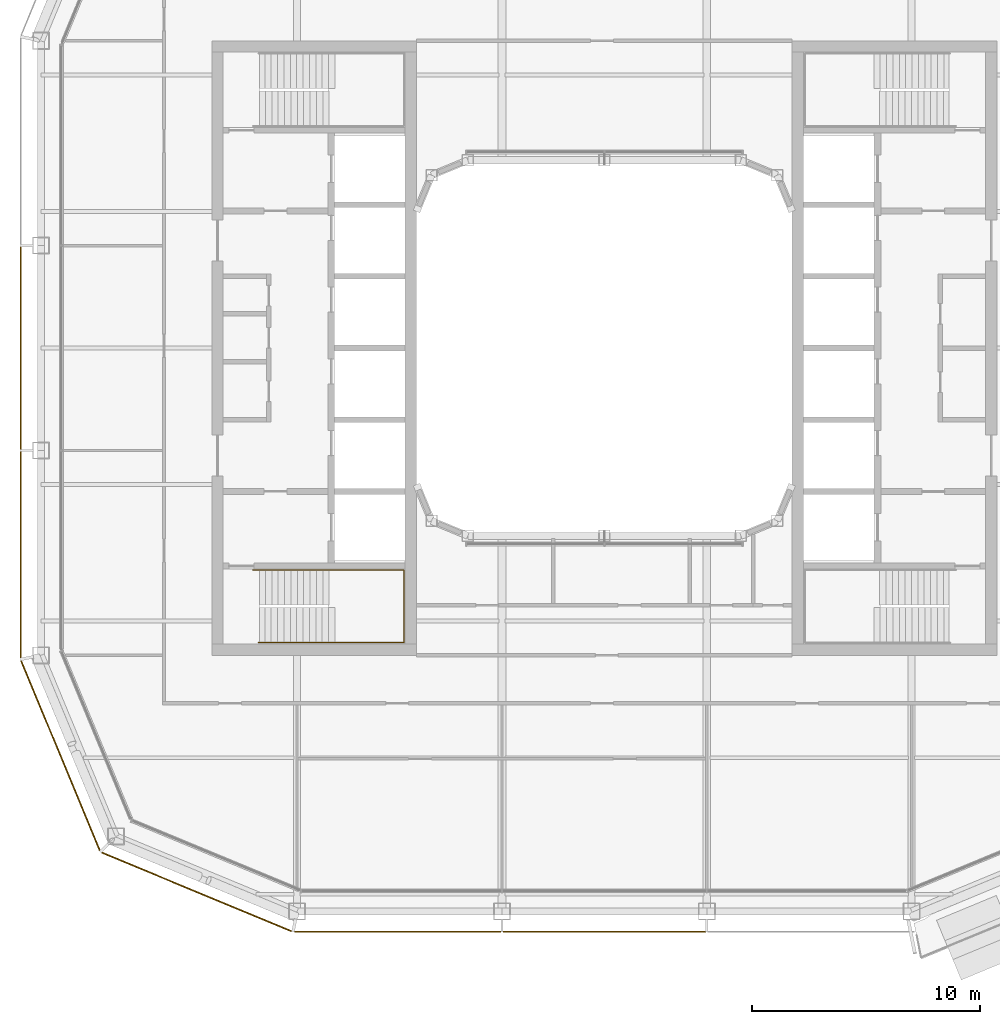
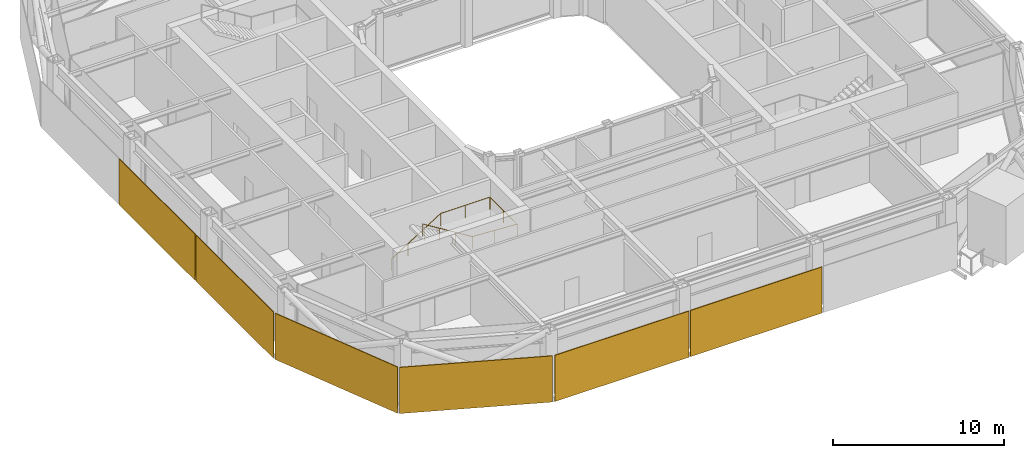
# One storey, part 17 of 21: 6 coverings, 1 railing.
"""IFC4 building model written with IfcOpenShell, lengths in metres."""

from ifc_helpers import new_model, si_unit, direction, frame, origin, origin_2d, place, context, subcontext, project, spatial, rectangle, circle, extrude, material, layer, layer_set, type_object, element, save


model = new_model("IFC4")

# Units and contexts
model_context = context("Model", 3, precision=1e-05, world=origin(), true_north=direction((0.0, 1.0)))
body_context = subcontext(model_context, "Body", "Model", "MODEL_VIEW")
ifc_project = project(units=[si_unit("LENGTHUNIT", "METRE"), si_unit("AREAUNIT", "SQUARE_METRE"), si_unit("VOLUMEUNIT", "CUBIC_METRE"), si_unit("PLANEANGLEUNIT", "RADIAN"), si_unit("MASSUNIT", "GRAM", prefix="KILO")], contexts=[model_context])

# Site, building, storey
site_placement = place(None, origin())
site = spatial("IfcSite", under=ifc_project, at=site_placement, CompositionType="ELEMENT")
building_placement = place(site_placement, origin())
building = spatial("IfcBuilding", under=site, at=building_placement, Name="Siwar Civic Tower", CompositionType="ELEMENT")
storey_placement = place(building_placement, frame((0.0, 0.0, 303.199951171875)))
storey = spatial("IfcBuildingStorey", under=building, at=storey_placement, Name="L65", CompositionType="ELEMENT", Elevation=303.199951171875)

# Railing
ifc_material_1 = material(Name="Stainless steel", Category="steel")
railing_type = type_object("IfcRailingType", Name="CORE-STAIR-HANDRAIL", PredefinedType="HANDRAIL", material=ifc_material_1)
railing_placement = place(storey_placement, frame((-15.449951171875, -9.758056640625, 0.173095703125)))
element("IfcRailing", 1, at=railing_placement, inside=storey, type_object=railing_type, Name="Stair handrail ST2", PredefinedType="HANDRAIL", context=body_context, shape_type="SweptSolid", body=[
    extrude(circle(Radius=0.02001953125, at=origin_2d()), frame((0.0, 0.0, 0.8798828125), z_axis=(0.847063342986, 0.0, 0.531491950051), x_axis=(0.0, 1.0, 0.0)), (0.0, 0.0, 1.0), 3.90771484375),
    extrude(circle(Radius=0.02001953125, at=origin_2d()), frame((3.31005859375, 0.0, 2.956787109375), z_axis=(1.0, 0.0, 0.0), x_axis=(0.0, 1.0, 0.0)), (0.0, 0.0, 1.0), 3.331787109375),
    extrude(circle(Radius=0.02001953125, at=origin_2d()), frame((6.641845703125, 0.0, 2.956787109375), z_axis=(0.0, -1.0, 0.0), x_axis=(1.0, 0.0, 0.0)), (0.0, 0.0, 1.0), 3.183837890625),
    extrude(circle(Radius=0.02001953125, at=origin_2d()), frame((6.641845703125, -3.183837890625, 2.956787109375), z_axis=(-0.99837434197, 0.0, 0.056997134106), x_axis=(0.0, -1.0, 0.0)), (0.0, 0.0, 1.0), 3.036865234375),
    extrude(circle(Radius=0.02001953125, at=origin_2d()), frame((3.60986328125, -3.183837890625, 3.1298828125), z_axis=(-0.850606129759, 0.0, 0.525803396734), x_axis=(0.0, -1.0, 0.0)), (0.0, 0.0, 1.0), 3.949951171875),
    extrude(circle(Radius=0.02001953125, at=origin_2d()), origin(), (0.0, 0.0, 1.0), 0.85986328125),
    extrude(circle(Radius=0.02001953125, at=origin_2d()), frame((1.103271484375, 0.0, 0.6923828125)), (0.0, 0.0, 1.0), 0.85986328125),
    extrude(circle(Radius=0.02001953125, at=origin_2d()), frame((2.206787109375, 0.0, 1.384521484375)), (0.0, 0.0, 1.0), 0.85986328125),
    extrude(circle(Radius=0.02001953125, at=origin_2d()), frame((3.31005859375, 0.0, 2.076904296875)), (0.0, 0.0, 1.0), 0.85986328125),
    extrude(circle(Radius=0.02001953125, at=origin_2d()), frame((4.97607421875, 0.0, 2.076904296875)), (0.0, 0.0, 1.0), 0.85986328125),
    extrude(circle(Radius=0.02001953125, at=origin_2d()), frame((6.641845703125, 0.0, 2.076904296875)), (0.0, 0.0, 1.0), 0.85986328125),
    extrude(circle(Radius=0.02001953125, at=origin_2d()), frame((6.641845703125, -1.591796875, 2.076904296875)), (0.0, 0.0, 1.0), 0.85986328125),
    extrude(circle(Radius=0.02001953125, at=origin_2d()), frame((6.641845703125, -3.183837890625, 2.076904296875)), (0.0, 0.0, 1.0), 0.85986328125),
    extrude(circle(Radius=0.02001953125, at=origin_2d()), frame((5.1259765625, -3.183837890625, 2.16357421875)), (0.0, 0.0, 1.0), 0.85986328125),
    extrude(circle(Radius=0.02001953125, at=origin_2d()), frame((3.60986328125, -3.183837890625, 2.25)), (0.0, 0.0, 1.0), 0.85986328125),
    extrude(circle(Radius=0.02001953125, at=origin_2d()), frame((2.489990234375, -3.183837890625, 2.9423828125)), (0.0, 0.0, 1.0), 0.85986328125),
    extrude(circle(Radius=0.02001953125, at=origin_2d()), frame((1.369873046875, -3.183837890625, 3.634521484375)), (0.0, 0.0, 1.0), 0.85986328125),
    extrude(circle(Radius=0.02001953125, at=origin_2d()), frame((0.25, -3.183837890625, 4.326904296875)), (0.0, 0.0, 1.0), 0.85986328125),
])

# Coverings
ifc_material_2 = material(Name="Perforated aluminium cassette, pale metal", Category="aluminium")
ifc_layer_1 = layer(ifc_material_2, 0.050048828125)
ifc_layer_set_1 = layer_set([ifc_layer_1], Name="Perforated aluminium cassette, pale metal")
covering_type_1 = type_object("IfcCoveringType", Name="ENV-OUTER SKIN OS-3", PredefinedType="CLADDING", material=ifc_layer_set_1)
covering_1_placement = place(storey_placement, frame((-25.64990234375, 0.0, -0.14990234375), z_axis=(0.0, 0.0, 1.0), x_axis=(0.0, -1.0, 0.0)))
element("IfcCovering", 2, at=covering_1_placement, inside=storey, type_object=covering_type_1, Name="OUTER SKIN OS-3 W 2", PredefinedType="CLADDING", context=body_context, shape_type="SweptSolid", body=[
    extrude(rectangle(XDim=8.89990234375, YDim=0.050048828125, at=origin_2d()), origin(), (0.0, 0.0, 1.0), 3.300048828125),
])
covering_2_placement = place(storey_placement, frame((-25.64990234375, -9.07958984375, -0.14990234375), z_axis=(0.0, 0.0, 1.0), x_axis=(0.0, -1.0, 0.0)))
element("IfcCovering", 3, at=covering_2_placement, inside=storey, type_object=covering_type_1, Name="OUTER SKIN OS-3 W 3", PredefinedType="CLADDING", context=body_context, shape_type="SweptSolid", body=[
    extrude(rectangle(XDim=9.05908203125, YDim=0.050048828125, at=origin_2d()), origin(), (0.0, 0.0, 1.0), 3.300048828125),
])
ifc_material_3 = material(Name="Perforated aluminium cassette, pale metal", Category="aluminium")
ifc_layer_2 = layer(ifc_material_3, 0.054931640625)
ifc_layer_set_2 = layer_set([ifc_layer_2], Name="Perforated aluminium cassette, pale metal")
covering_type_2 = type_object("IfcCoveringType", Name="ENV-OUTER SKIN OS-4", PredefinedType="CLADDING", material=ifc_layer_set_2)
covering_3_placement = place(storey_placement, frame((-9.07958984375, -25.64990234375, -0.14990234375), z_axis=(0.0, 0.0, 1.0), x_axis=(1.0, 0.0, 0.0)))
element("IfcCovering", 4, at=covering_3_placement, inside=storey, type_object=covering_type_2, Name="OUTER SKIN OS-4 S 1", PredefinedType="CLADDING", context=body_context, shape_type="SweptSolid", body=[
    extrude(rectangle(XDim=9.05908203125, YDim=0.054931640625, at=origin_2d()), origin(), (0.0, 0.0, 1.0), 3.300048828125),
])
covering_4_placement = place(storey_placement, frame((0.0, -25.64990234375, -0.14990234375), z_axis=(0.0, 0.0, 1.0), x_axis=(1.0, 0.0, 0.0)))
element("IfcCovering", 5, at=covering_4_placement, inside=storey, type_object=covering_type_2, Name="OUTER SKIN OS-4 S 2", PredefinedType="CLADDING", context=body_context, shape_type="SweptSolid", body=[
    extrude(rectangle(XDim=8.89990234375, YDim=0.054931640625, at=origin_2d()), origin(), (0.0, 0.0, 1.0), 3.300048828125),
])
for number, where, z_axis, x_axis, name in (
    (6, (-23.89697265625, -17.911376953125, -0.14990234375), (0.0, 0.0, 1.0), (0.382683432365, -0.923879532511, 0.0), "OUTER SKIN OS-4 SW1 1"),
    (7, (-17.911376953125, -23.89697265625, -0.14990234375), (0.0, 0.0, 1.0), (0.923879532511, -0.382683432365, 0.0), "OUTER SKIN OS-4 SW2 1"),
):
    element("IfcCovering", number, at=place(storey_placement, frame(where, z_axis=z_axis, x_axis=x_axis)), inside=storey, type_object=covering_type_2, Name=name, PredefinedType="CLADDING", context=body_context, shape_type="SweptSolid", body=[
        extrude(rectangle(XDim=9.022216796875, YDim=0.054931640625, at=origin_2d()), origin(), (0.0, 0.0, 1.0), 3.300048828125),
    ])

save(model, "model.ifc")
